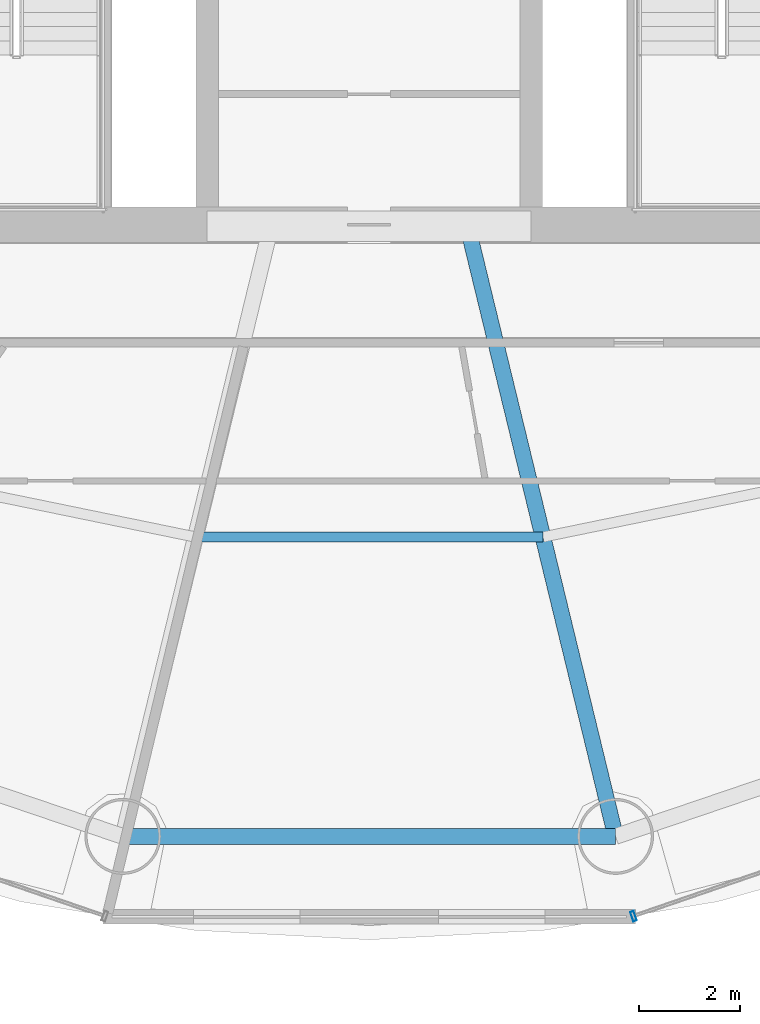
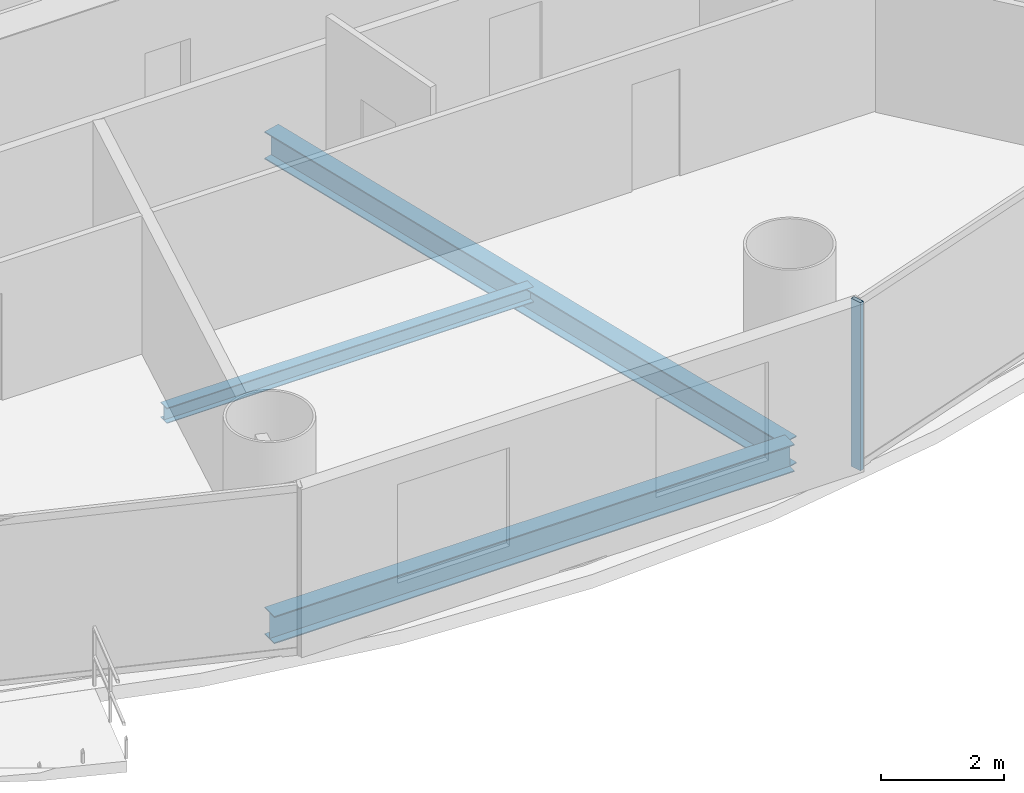
# One storey, part 5 of 29: 3 beams, 1 member, 1 element without a shape of its own.
"""IFC4 building model written with IfcOpenShell, lengths in metres."""

from ifc_helpers import new_model, si_unit, direction, frame, origin, origin_2d, place, context, subcontext, project, spatial, hollow_rectangle, i_section, extrude, source, transform, mapped, material, material_profile, profile_set, type_object, element, aggregate, save


model = new_model("IFC4")

# Units and contexts
model_context = context("Model", 3, precision=1e-05, world=origin(), true_north=direction((-0.2419218956, 0.970295726276)))
body_context = subcontext(model_context, "Body", "Model", "MODEL_VIEW")
ifc_project = project(units=[si_unit("LENGTHUNIT", "METRE"), si_unit("AREAUNIT", "SQUARE_METRE"), si_unit("VOLUMEUNIT", "CUBIC_METRE"), si_unit("PLANEANGLEUNIT", "RADIAN"), si_unit("MASSUNIT", "GRAM", prefix="KILO")], contexts=[model_context])

# Site, building, storey
site_placement = place(None, origin())
site = spatial("IfcSite", under=ifc_project, at=site_placement, CompositionType="ELEMENT")
building_placement = place(site_placement, origin())
building = spatial("IfcBuilding", under=site, at=building_placement, Name="Cobrevalo Terracotta Tower", CompositionType="ELEMENT")
storey_placement = place(building_placement, frame((0.0, 0.0, 97.800048828125)))
storey = spatial("IfcBuildingStorey", under=building, at=storey_placement, Name="L25", CompositionType="ELEMENT", Elevation=97.800048828125)

# Beams
ifc_material_1 = material(Name="Steel S355", Category="steel")
ifc_material_profile_1 = material_profile(ifc_material_1, i_section(OverallWidth=0.31201171875, OverallDepth=0.54296875, WebThickness=0.0126953125, FlangeThickness=0.020263671875, at=origin_2d()), Name="W 530x150")
ifc_profile_set_1 = profile_set([ifc_material_profile_1], Name="Steel S355")
beam_type_1 = type_object("IfcBeamType", Name="Structural Beam W 530x150 (Steel S355)", PredefinedType="BEAM", material=ifc_profile_set_1)
beam_1_placement = place(storey_placement, frame((42.867431640625, 6.742919921875, -0.546630859375), z_axis=(-0.235827379387, 0.971794961467, 0.0), x_axis=(-0.971794961467, -0.235827379387, 0.0)))
element("IfcBeam", 1, at=beam_1_placement, inside=storey, type_object=beam_type_1, Name="L25 radial floor girder 13", PredefinedType="BEAM", context=body_context, shape_type="SweptSolid", body=[
    extrude(i_section(OverallWidth=0.31201171875, OverallDepth=0.54296875, WebThickness=0.0126953125, FlangeThickness=0.020263671875, at=origin_2d()), origin(), (0.0, 0.0, 1.0), 12.17041015625),
])
ifc_material_profile_2 = material_profile(ifc_material_1, i_section(OverallWidth=0.2041015625, OverallDepth=0.305908203125, WebThickness=0.008544921875, FlangeThickness=0.0146484375, at=origin_2d()), Name="W 310x67")
ifc_profile_set_2 = profile_set([ifc_material_profile_2], Name="Steel S355")
beam_type_2 = type_object("IfcBeamType", Name="Structural Joist W 310x67 (Steel S355)", PredefinedType="JOIST", material=ifc_profile_set_2)
beam_2_placement = place(storey_placement, frame((34.567626953125, 12.656494140625, -0.427978515625), z_axis=(1.0, 0.0, 0.0), x_axis=(0.0, 1.0, 0.0)))
element("IfcBeam", 2, at=beam_2_placement, inside=storey, type_object=beam_type_2, Name="L25 circumferential secondary floor joist 12", PredefinedType="JOIST", context=body_context, shape_type="SweptSolid", body=[
    extrude(i_section(OverallWidth=0.2041015625, OverallDepth=0.305908203125, WebThickness=0.008544921875, FlangeThickness=0.0146484375, at=origin_2d()), origin(), (0.0, 0.0, 1.0), 6.86474609375),
])
ifc_material_profile_3 = material_profile(ifc_material_1, i_section(OverallWidth=0.31201171875, OverallDepth=0.54296875, WebThickness=0.0126953125, FlangeThickness=0.020263671875, at=origin_2d()), Name="W 530x150")
ifc_profile_set_3 = profile_set([ifc_material_profile_3], Name="Steel S355")
beam_type_3 = type_object("IfcBeamType", Name="Structural Spandrel W 530x150 (Steel S355)", PredefinedType="SPANDREL", material=ifc_profile_set_3)
beam_3_placement = place(storey_placement, frame((33.132568359375, 6.742919921875, -0.546630859375), z_axis=(1.0, 0.0, 0.0), x_axis=(0.0, 1.0, 0.0)))
element("IfcBeam", 3, at=beam_3_placement, inside=storey, type_object=beam_type_3, Name="L25 perimeter ring spandrel 12", PredefinedType="SPANDREL", context=body_context, shape_type="SweptSolid", body=[
    extrude(i_section(OverallWidth=0.31201171875, OverallDepth=0.54296875, WebThickness=0.0126953125, FlangeThickness=0.020263671875, at=origin_2d()), origin(), (0.0, 0.0, 1.0), 9.73486328125),
])

# Curtain wall, member
ifc_material_2 = material(Name="Anodized aluminium", Category="aluminium")
curtain_wall_type = type_object("IfcCurtainWallType", Name="Lower-tower unitised acoustic low-E curtain wall CW-U1", PredefinedType="NOTDEFINED", material=ifc_material_2)
curtain_wall_placement = place(storey_placement, origin())
curtain_wall = element("IfcCurtainWall", 4, at=curtain_wall_placement, inside=storey, type_object=curtain_wall_type, Name="L25 curtain wall CW-L25-S13", PredefinedType="NOTDEFINED")
ifc_material_profile_4 = material_profile(ifc_material_2, hollow_rectangle(XDim=0.074951171875, YDim=0.199951171875, WallThickness=0.0048828125, at=origin_2d()), Name="CWM 75x200")
ifc_profile_set_4 = profile_set([ifc_material_profile_4], Name="Anodized aluminium")
member_type = type_object("IfcMemberType", Name="Lower/mid tower unitised mullion 75x200", PredefinedType="MULLION", material=ifc_profile_set_4)
shared_shape = source(origin(), body_context, "Body", "SweptSolid", [
    extrude(hollow_rectangle(XDim=0.074951171875, YDim=0.199951171875, WallThickness=0.0048828125, at=origin_2d()), origin(), (0.0, 0.0, 1.0), 3.324951171875),
])
member_placement = place(storey_placement, frame((43.221435546875, 5.1669921875, 0.0), z_axis=(0.0, 0.0, 1.0), x_axis=(0.94559809868, 0.325337110968, 0.0)))
member = element("IfcMember", 5, at=member_placement, type_object=member_type, Name="CW-L25-S13 vertical mullion 01", PredefinedType="MULLION", context=body_context, shape_type="MappedRepresentation", body=[
    mapped(shared_shape, transform((0.0, 0.0, 0.0), scale=1.0)),
])
aggregate(curtain_wall, [member])

save(model, "model.ifc")
